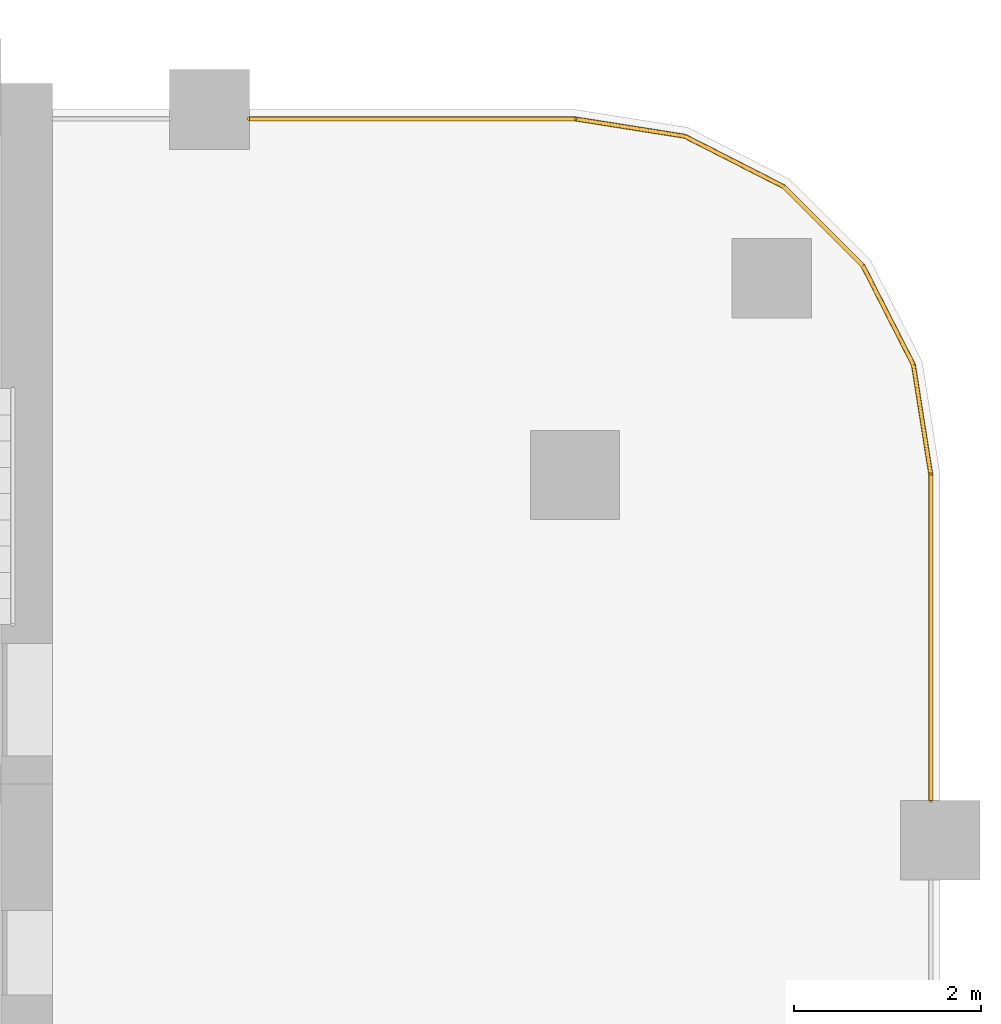
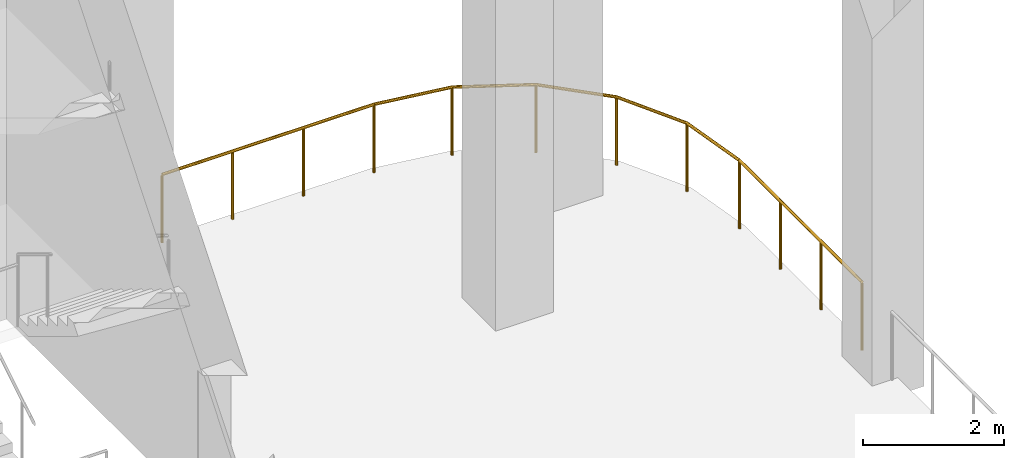
# One storey, part 10 of 10: 3 railings.
"""IFC4 building model written with IfcOpenShell, lengths in metres."""

from ifc_helpers import new_model, si_unit, direction, frame, origin, origin_2d, place, context, subcontext, project, spatial, circle, extrude, material, type_object, element, save


model = new_model("IFC4")

# Units and contexts
model_context = context("Model", 3, precision=1e-05, world=origin(), true_north=direction((0.0, 1.0)))
body_context = subcontext(model_context, "Body", "Model", "MODEL_VIEW")
ifc_project = project(units=[si_unit("LENGTHUNIT", "METRE"), si_unit("AREAUNIT", "SQUARE_METRE"), si_unit("VOLUMEUNIT", "CUBIC_METRE"), si_unit("PLANEANGLEUNIT", "RADIAN"), si_unit("MASSUNIT", "GRAM", prefix="KILO")], contexts=[model_context])

# Site, building, storey
site_placement = place(None, origin())
site = spatial("IfcSite", under=ifc_project, at=site_placement, CompositionType="ELEMENT")
building_placement = place(site_placement, origin())
building = spatial("IfcBuilding", under=site, at=building_placement, Name="Ludao Terraces", CompositionType="ELEMENT")
storey_placement = place(building_placement, frame((0.0, 0.0, 116.89990234375)))
storey = spatial("IfcBuildingStorey", under=building, at=storey_placement, Name="L32", CompositionType="ELEMENT", Elevation=116.89990234375)

# Railings
ifc_material = material(Name="Steel Q235", Category="steel")
railing_type = type_object("IfcRailingType", Name="ENV Open-edge guard 1200", PredefinedType="GUARDRAIL", material=ifc_material)
railing_1_placement = place(storey_placement, frame((104.39990234375, 77.125, 0.0)))
element("IfcRailing", 1, at=railing_1_placement, inside=storey, type_object=railing_type, Name="Guard L32 E5", PredefinedType="GUARDRAIL", context=body_context, shape_type="SweptSolid", body=[
    extrude(circle(Radius=0.02392578125, at=origin_2d()), frame((0.0, 0.0, 1.17578125), z_axis=(0.0, 1.0, 0.0), x_axis=(-1.0, 0.0, 0.0)), (0.0, 0.0, 1.0), 3.47509765625),
    extrude(circle(Radius=0.02099609375, at=origin_2d()), origin(), (0.0, 0.0, 1.0), 1.15185546875),
    extrude(circle(Radius=0.02099609375, at=origin_2d()), frame((0.0, 1.158447265625, 0.0)), (0.0, 0.0, 1.0), 1.15185546875),
    extrude(circle(Radius=0.02099609375, at=origin_2d()), frame((0.0, 2.316650390625, 0.0)), (0.0, 0.0, 1.0), 1.15185546875),
    extrude(circle(Radius=0.02099609375, at=origin_2d()), frame((0.0, 3.47509765625, 0.0)), (0.0, 0.0, 1.0), 1.15185546875),
])
railing_2_placement = place(storey_placement, frame((97.125, 84.39990234375, 0.0)))
element("IfcRailing", 2, at=railing_2_placement, inside=storey, type_object=railing_type, Name="Guard L32 N4", PredefinedType="GUARDRAIL", context=body_context, shape_type="SweptSolid", body=[
    extrude(circle(Radius=0.02392578125, at=origin_2d()), frame((0.0, 0.0, 1.17578125), z_axis=(1.0, 0.0, 0.0), x_axis=(0.0, 1.0, 0.0)), (0.0, 0.0, 1.0), 3.47509765625),
    extrude(circle(Radius=0.02099609375, at=origin_2d()), origin(), (0.0, 0.0, 1.0), 1.15185546875),
    extrude(circle(Radius=0.02099609375, at=origin_2d()), frame((1.158447265625, 0.0, 0.0)), (0.0, 0.0, 1.0), 1.15185546875),
    extrude(circle(Radius=0.02099609375, at=origin_2d()), frame((2.316650390625, 0.0, 0.0)), (0.0, 0.0, 1.0), 1.15185546875),
    extrude(circle(Radius=0.02099609375, at=origin_2d()), frame((3.47509765625, 0.0, 0.0)), (0.0, 0.0, 1.0), 1.15185546875),
])
railing_3_placement = place(storey_placement, frame((104.39990234375, 80.60009765625, 0.0)))
element("IfcRailing", 3, at=railing_3_placement, inside=storey, type_object=railing_type, Name="Guard L32 NE", PredefinedType="GUARDRAIL", context=body_context, shape_type="SweptSolid", body=[
    extrude(circle(Radius=0.02392578125, at=origin_2d()), frame((0.0, 0.0, 1.17578125), z_axis=(-0.156300066377, 0.987709617879, 0.0), x_axis=(-0.987709617879, -0.156300066377, 0.0)), (0.0, 0.0, 1.0), 1.188720703125),
    extrude(circle(Radius=0.02392578125, at=origin_2d()), frame((-0.185791015625, 1.174072265625, 1.17578125), z_axis=(-0.454018062405, 0.890992479772, 0.0), x_axis=(-0.890992479772, -0.454018062405, 0.0)), (0.0, 0.0, 1.0), 1.18896484375),
    extrude(circle(Radius=0.02392578125, at=origin_2d()), frame((-0.7255859375, 2.2333984375, 1.17578125), z_axis=(-0.707106781187, 0.707106781187, 0.0), x_axis=(-0.707106781187, -0.707106781187, 0.0)), (0.0, 0.0, 1.0), 1.189208984375),
    extrude(circle(Radius=0.02392578125, at=origin_2d()), frame((-1.56640625, 3.07421875, 1.17578125), z_axis=(-0.890992479772, 0.454018062405, 0.0), x_axis=(-0.454018062405, -0.890992479772, 0.0)), (0.0, 0.0, 1.0), 1.18896484375),
    extrude(circle(Radius=0.02392578125, at=origin_2d()), frame((-2.625732421875, 3.614013671875, 1.17578125), z_axis=(-0.987709617879, 0.156300066377, 0.0), x_axis=(-0.156300066377, -0.987709617879, 0.0)), (0.0, 0.0, 1.0), 1.188720703125),
    extrude(circle(Radius=0.02099609375, at=origin_2d()), origin(), (0.0, 0.0, 1.0), 1.15185546875),
    extrude(circle(Radius=0.02099609375, at=origin_2d()), frame((-0.185791015625, 1.174072265625, 0.0)), (0.0, 0.0, 1.0), 1.15185546875),
    extrude(circle(Radius=0.02099609375, at=origin_2d()), frame((-0.7255859375, 2.2333984375, 0.0)), (0.0, 0.0, 1.0), 1.15185546875),
    extrude(circle(Radius=0.02099609375, at=origin_2d()), frame((-1.56640625, 3.07421875, 0.0)), (0.0, 0.0, 1.0), 1.15185546875),
    extrude(circle(Radius=0.02099609375, at=origin_2d()), frame((-2.625732421875, 3.614013671875, 0.0)), (0.0, 0.0, 1.0), 1.15185546875),
    extrude(circle(Radius=0.02099609375, at=origin_2d()), frame((-3.7998046875, 3.7998046875, 0.0)), (0.0, 0.0, 1.0), 1.15185546875),
])

save(model, "model.ifc")
